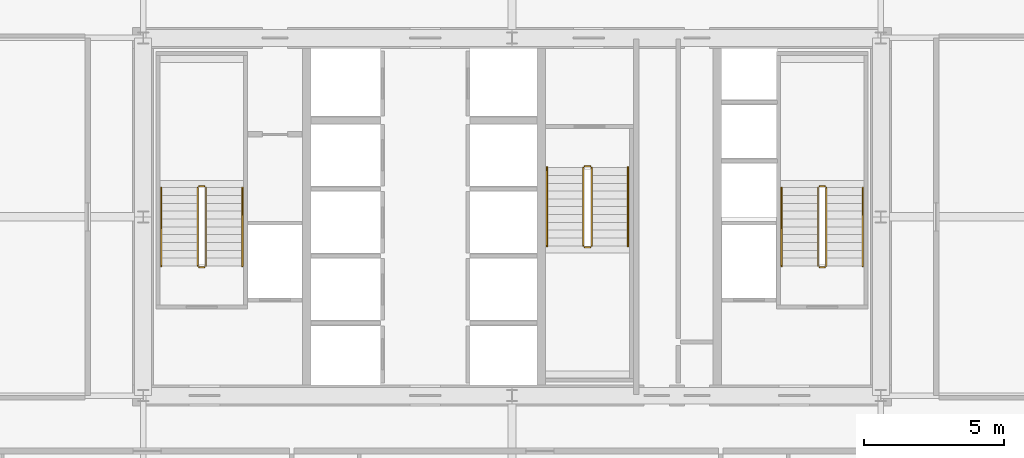
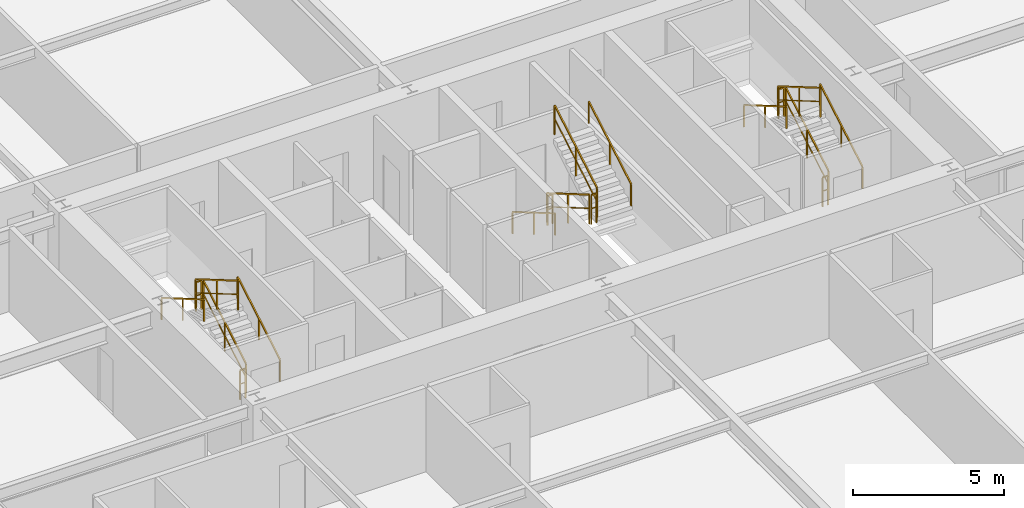
# One storey, part 37 of 37: 18 railings.
"""IFC4 building model written with IfcOpenShell, lengths in metres."""

from ifc_helpers import new_model, si_unit, direction, frame, origin, origin_2d, place, context, subcontext, project, spatial, rectangle, extrude, source, transform, mapped, material, layer, layer_set, type_object, element, save


model = new_model("IFC4")

# Units and contexts
model_context = context("Model", 3, precision=1e-05, world=origin(), true_north=direction((0.0, 1.0)))
body_context = subcontext(model_context, "Body", "Model", "MODEL_VIEW")
ifc_project = project(units=[si_unit("LENGTHUNIT", "METRE"), si_unit("AREAUNIT", "SQUARE_METRE"), si_unit("VOLUMEUNIT", "CUBIC_METRE"), si_unit("PLANEANGLEUNIT", "RADIAN"), si_unit("MASSUNIT", "GRAM", prefix="KILO"), si_unit("THERMODYNAMICTEMPERATUREUNIT", "KELVIN"), si_unit("POWERUNIT", "WATT")], contexts=[model_context])

# Site, building, storey
site_placement = place(None, origin())
site = spatial("IfcSite", under=ifc_project, at=site_placement, CompositionType="ELEMENT")
building_placement = place(site_placement, origin())
building = spatial("IfcBuilding", under=site, at=building_placement, Name="Yuzanri Waterfront Tower", CompositionType="ELEMENT")
storey_placement = place(building_placement, frame((0.0, 0.0, 104.60009765625)))
storey = spatial("IfcBuildingStorey", under=building, at=storey_placement, Name="L27", CompositionType="ELEMENT", Elevation=104.60009765625)

# Railings
ifc_material_1 = material(Name="Painted Galvanized Fire Steel", Category="steel")
ifc_layer_1 = layer(ifc_material_1, 0.06005859375)
ifc_layer_set_1 = layer_set([ifc_layer_1], Name="Painted Galvanized Fire Steel")
railing_type_1 = type_object("IfcRailingType", Name="Painted Steel Stairwell Guardrail 1120", PredefinedType="GUARDRAIL", material=ifc_layer_set_1)
shared_shape_1 = source(origin(), body_context, "Body", "SweptSolid", [
    extrude(rectangle(XDim=0.050048828125, YDim=0.050048828125, at=origin_2d()), frame((0.0, 0.0, 1.1748046875), z_axis=(-1.0, 0.0, 0.0), x_axis=(0.0, -1.0, 0.0)), (0.0, 0.0, 1.0), 0.199951171875),
    extrude(rectangle(XDim=0.035888671875, YDim=0.030029296875, at=origin_2d()), frame((0.0, 0.0, 0.6240234375), z_axis=(-1.0, 0.0, 0.0), x_axis=(0.0, -1.0, 0.0)), (0.0, 0.0, 1.0), 0.199951171875),
    extrude(rectangle(XDim=0.0458984375, YDim=0.0458984375, at=origin_2d()), origin(), (0.0, 0.0, 1.0), 1.14990234375),
    extrude(rectangle(XDim=0.0458984375, YDim=0.0458984375, at=origin_2d()), frame((-0.199951171875, 0.0, 0.0)), (0.0, 0.0, 1.0), 1.14990234375),
])
for number, where, name in (
    (1, (26.0, 26.889892578125, 1.7998046875), "L27 ST-01 stair guard 2"),
    (2, (26.0, 23.989990234375, 0.0), "L27 ST-01 stair guard 4"),
    (3, (48.199951171875, 26.889892578125, 1.7998046875), "L27 ST-02 stair guard 2"),
    (4, (48.199951171875, 23.989990234375, 0.0), "L27 ST-02 stair guard 4"),
):
    element("IfcRailing", number, at=place(storey_placement, frame(where)), inside=storey, type_object=railing_type_1, Name=name, PredefinedType="GUARDRAIL", context=body_context, shape_type="MappedRepresentation", body=[
        mapped(shared_shape_1, transform((0.0, 0.0, 0.0), scale=1.0)),
    ])
shared_shape_2 = source(origin(), body_context, "Body", "SweptSolid", [
    extrude(rectangle(XDim=0.050048828125, YDim=0.050048828125, at=origin_2d()), frame((0.0, 0.0, 1.1748046875), z_axis=(0.0, 0.863393664356, 0.504530851732), x_axis=(-1.0, 0.0, 0.0)), (0.0, 0.0, 1.0), 3.2431640625),
    extrude(rectangle(XDim=0.035888671875, YDim=0.030029296875, at=origin_2d()), frame((0.0, 0.0, 0.6240234375), z_axis=(0.0, 0.863393664356, 0.504530851732), x_axis=(-1.0, 0.0, 0.0)), (0.0, 0.0, 1.0), 3.2431640625),
    extrude(rectangle(XDim=0.0458984375, YDim=0.0458984375, at=origin_2d()), origin(), (0.0, 0.0, 1.0), 1.14990234375),
    extrude(rectangle(XDim=0.0458984375, YDim=0.0458984375, at=origin_2d()), frame((0.0, 1.39990234375, 0.818115234375)), (0.0, 0.0, 1.0), 1.14990234375),
    extrude(rectangle(XDim=0.0458984375, YDim=0.0458984375, at=origin_2d()), frame((0.0, 2.800048828125, 1.63623046875)), (0.0, 0.0, 1.0), 1.14990234375),
])
for number, where, name in (
    (5, (26.050048828125, 24.0400390625, 0.16357421875), "L27 ST-01 stair guard 1"),
    (6, (48.25, 24.0400390625, 0.16357421875), "L27 ST-02 stair guard 1"),
    (7, (39.85009765625, 24.760009765625, 1.963623046875), "L27 ST-03 stair guard 3"),
):
    element("IfcRailing", number, at=place(storey_placement, frame(where)), inside=storey, type_object=railing_type_1, Name=name, PredefinedType="GUARDRAIL", context=body_context, shape_type="MappedRepresentation", body=[
        mapped(shared_shape_2, transform((0.0, 0.0, 0.0), scale=1.0)),
    ])
shared_shape_3 = source(origin(), body_context, "Body", "SweptSolid", [
    extrude(rectangle(XDim=0.050048828125, YDim=0.050048828125, at=origin_2d()), frame((0.0, 0.0, 1.1748046875), z_axis=(0.0, -0.863393664356, 0.504530851732), x_axis=(1.0, 0.0, 0.0)), (0.0, 0.0, 1.0), 3.2431640625),
    extrude(rectangle(XDim=0.035888671875, YDim=0.030029296875, at=origin_2d()), frame((0.0, 0.0, 0.6240234375), z_axis=(0.0, -0.863393664356, 0.504530851732), x_axis=(1.0, 0.0, 0.0)), (0.0, 0.0, 1.0), 3.2431640625),
    extrude(rectangle(XDim=0.0458984375, YDim=0.0458984375, at=origin_2d()), origin(), (0.0, 0.0, 1.0), 1.14990234375),
    extrude(rectangle(XDim=0.0458984375, YDim=0.0458984375, at=origin_2d()), frame((0.0, -1.39990234375, 0.818115234375)), (0.0, 0.0, 1.0), 1.14990234375),
    extrude(rectangle(XDim=0.0458984375, YDim=0.0458984375, at=origin_2d()), frame((0.0, -2.800048828125, 1.63623046875)), (0.0, 0.0, 1.0), 1.14990234375),
])
for number, where, name in (
    (8, (25.75, 26.840087890625, 1.963623046875), "L27 ST-01 stair guard 3"),
    (9, (47.949951171875, 26.840087890625, 1.963623046875), "L27 ST-02 stair guard 3"),
    (10, (39.550048828125, 27.56005859375, 0.16357421875), "L27 ST-03 stair guard 1"),
):
    element("IfcRailing", number, at=place(storey_placement, frame(where)), inside=storey, type_object=railing_type_1, Name=name, PredefinedType="GUARDRAIL", context=body_context, shape_type="MappedRepresentation", body=[
        mapped(shared_shape_3, transform((0.0, 0.0, 0.0), scale=1.0)),
    ])
ifc_material_2 = material(Name="Anodized Architectural Bronze", Category="metal")
ifc_layer_2 = layer(ifc_material_2, 0.050048828125)
ifc_layer_set_2 = layer_set([ifc_layer_2], Name="Anodized Architectural Bronze")
railing_type_2 = type_object("IfcRailingType", Name="Brushed Bronze Stair Pitch Handrail 920", PredefinedType="HANDRAIL", material=ifc_layer_set_2)
shared_shape_4 = source(origin(), body_context, "Body", "SweptSolid", [
    extrude(rectangle(XDim=0.050048828125, YDim=0.050048828125, at=origin_2d()), frame((0.0, 0.0, 0.875), z_axis=(0.0, 0.863393664356, 0.504530851732), x_axis=(-1.0, 0.0, 0.0)), (0.0, 0.0, 1.0), 3.2431640625),
    extrude(rectangle(XDim=0.0458984375, YDim=0.0458984375, at=origin_2d()), origin(), (0.0, 0.0, 1.0), 0.849853515625),
    extrude(rectangle(XDim=0.0458984375, YDim=0.0458984375, at=origin_2d()), frame((0.0, 1.39990234375, 0.818115234375)), (0.0, 0.0, 1.0), 0.849853515625),
    extrude(rectangle(XDim=0.0458984375, YDim=0.0458984375, at=origin_2d()), frame((0.0, 2.800048828125, 1.63623046875)), (0.0, 0.0, 1.0), 0.849853515625),
])
for number, where, name in (
    (11, (27.35009765625, 24.0400390625, 0.16357421875), "L27 ST-01 stair handrail 1"),
    (12, (49.550048828125, 24.0400390625, 0.16357421875), "L27 ST-02 stair handrail 1"),
    (13, (41.14990234375, 24.760009765625, 1.963623046875), "L27 ST-03 stair handrail 2"),
):
    element("IfcRailing", number, at=place(storey_placement, frame(where)), inside=storey, type_object=railing_type_2, Name=name, PredefinedType="HANDRAIL", context=body_context, shape_type="MappedRepresentation", body=[
        mapped(shared_shape_4, transform((0.0, 0.0, 0.0), scale=1.0)),
    ])
shared_shape_5 = source(origin(), body_context, "Body", "SweptSolid", [
    extrude(rectangle(XDim=0.050048828125, YDim=0.050048828125, at=origin_2d()), frame((0.0, 0.0, 0.875), z_axis=(0.0, -0.863393664356, 0.504530851732), x_axis=(1.0, 0.0, 0.0)), (0.0, 0.0, 1.0), 3.2431640625),
    extrude(rectangle(XDim=0.0458984375, YDim=0.0458984375, at=origin_2d()), origin(), (0.0, 0.0, 1.0), 0.849853515625),
    extrude(rectangle(XDim=0.0458984375, YDim=0.0458984375, at=origin_2d()), frame((0.0, -1.39990234375, 0.818115234375)), (0.0, 0.0, 1.0), 0.849853515625),
    extrude(rectangle(XDim=0.0458984375, YDim=0.0458984375, at=origin_2d()), frame((0.0, -2.800048828125, 1.63623046875)), (0.0, 0.0, 1.0), 0.849853515625),
])
for number, where, name in (
    (14, (24.449951171875, 26.840087890625, 1.963623046875), "L27 ST-01 stair handrail 2"),
    (15, (46.64990234375, 26.840087890625, 1.963623046875), "L27 ST-02 stair handrail 2"),
    (16, (38.25, 27.56005859375, 0.16357421875), "L27 ST-03 stair handrail 1"),
):
    element("IfcRailing", number, at=place(storey_placement, frame(where)), inside=storey, type_object=railing_type_2, Name=name, PredefinedType="HANDRAIL", context=body_context, shape_type="MappedRepresentation", body=[
        mapped(shared_shape_5, transform((0.0, 0.0, 0.0), scale=1.0)),
    ])
shared_shape_6 = source(origin(), body_context, "Body", "SweptSolid", [
    extrude(rectangle(XDim=0.050048828125, YDim=0.050048828125, at=origin_2d()), frame((0.0, 0.0, 1.1748046875), z_axis=(1.0, 0.0, 0.0), x_axis=(0.0, 1.0, 0.0)), (0.0, 0.0, 1.0), 0.199951171875),
    extrude(rectangle(XDim=0.035888671875, YDim=0.030029296875, at=origin_2d()), frame((0.0, 0.0, 0.6240234375), z_axis=(1.0, 0.0, 0.0), x_axis=(0.0, 1.0, 0.0)), (0.0, 0.0, 1.0), 0.199951171875),
    extrude(rectangle(XDim=0.0458984375, YDim=0.0458984375, at=origin_2d()), origin(), (0.0, 0.0, 1.0), 1.14990234375),
    extrude(rectangle(XDim=0.0458984375, YDim=0.0458984375, at=origin_2d()), frame((0.199951171875, 0.0, 0.0)), (0.0, 0.0, 1.0), 1.14990234375),
])
for number, where, name in (
    (17, (39.60009765625, 24.7099609375, 1.7998046875), "L27 ST-03 stair guard 2"),
    (18, (39.60009765625, 27.610107421875, 0.0), "L27 ST-03 stair guard 4"),
):
    element("IfcRailing", number, at=place(storey_placement, frame(where)), inside=storey, type_object=railing_type_1, Name=name, PredefinedType="GUARDRAIL", context=body_context, shape_type="MappedRepresentation", body=[
        mapped(shared_shape_6, transform((0.0, 0.0, 0.0), scale=1.0)),
    ])

save(model, "model.ifc")
